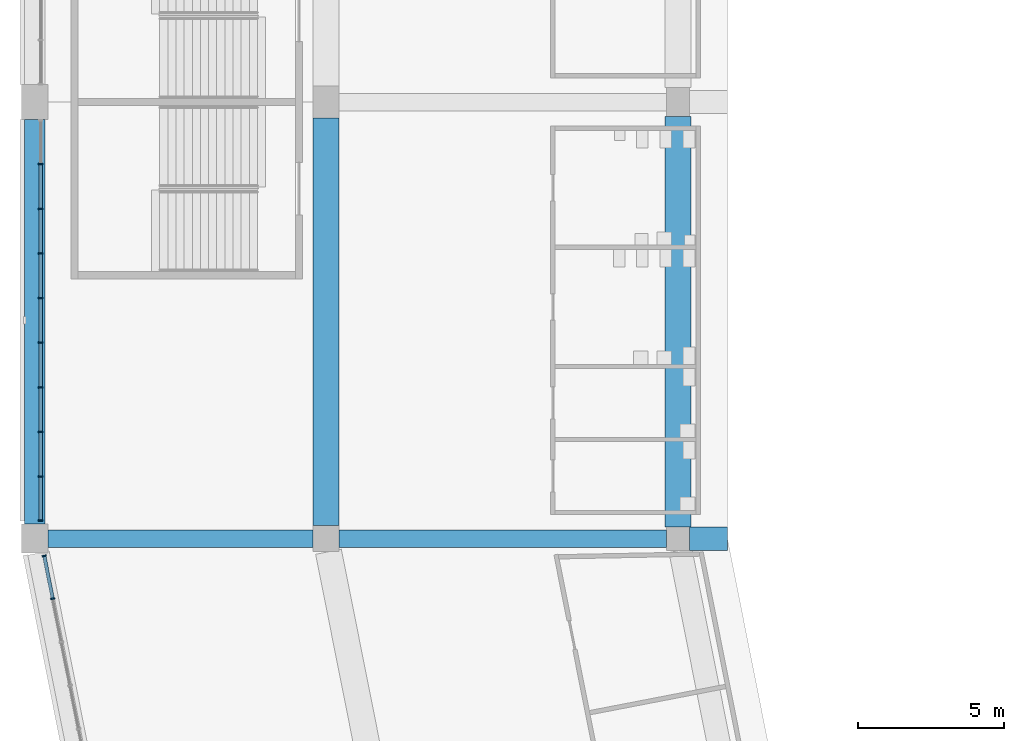
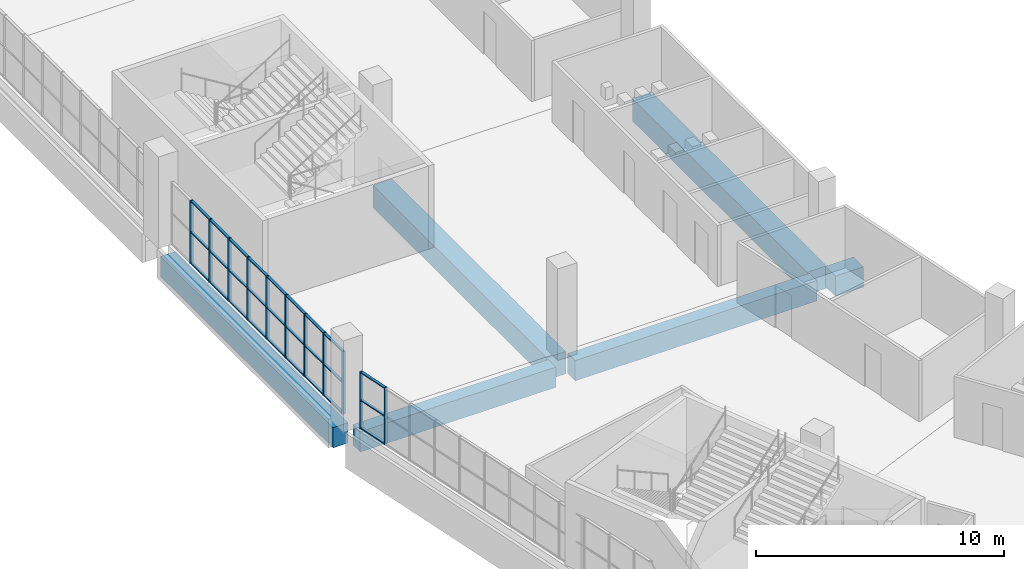
# One storey, part 10 of 199: 38 members, 6 beams, 2 elements without a shape of their own.
"""IFC4 building model written with IfcOpenShell, lengths in metres."""

import ifcopenshell
import ifcopenshell.guid

model = None  # the IFC model being written
_history = None  # IfcOwnerHistory: only IFC2X3 demands one
_inside = {}  # id of a spatial element -> (the spatial element, [elements in it])
_under = {}  # id of a project, library or spatial element -> (it, [spatial elements below it])
_declared = {}  # id of a project -> (the project, [libraries it declares])
_typed = {}  # id of a type object -> (the type object, [elements of that type])
_made_of = {}  # id of a material, layer set ... -> (it, [elements and type objects made of it])


def new_model(schema):
    """Start an empty IFC model of exactly this schema.

    Asked for "IFC4X3", IfcOpenShell would pick the latest addendum, in which some entities
    have other attributes; the version numbers below select the first issue.
    IFC2X3 requires an IfcOwnerHistory on every rooted entity: one is made here for all.
    """
    global model, _history
    if schema == "IFC4X3":
        model = ifcopenshell.file(schema_version=(4, 3, 0, 0))
    else:
        model = ifcopenshell.file(schema=schema)
    _inside.clear()
    _under.clear()
    _declared.clear()
    _typed.clear()
    _made_of.clear()
    _history = None
    if model.schema == "IFC2X3":
        org = make("IfcOrganization", Name="unknown")
        user = make(
            "IfcPersonAndOrganization",
            ThePerson=make("IfcPerson", FamilyName="unknown"),
            TheOrganization=org,
        )
        app = make(
            "IfcApplication",
            ApplicationDeveloper=org,
            Version="unknown",
            ApplicationFullName="unknown",
            ApplicationIdentifier="unknown",
        )
        _history = make(
            "IfcOwnerHistory",
            OwningUser=user,
            OwningApplication=app,
            ChangeAction="ADDED",
            CreationDate=0,
        )
    return model


def make(cls, **values):
    """One entity of the class cls with the attributes given. An attribute that is None is left unset."""
    return model.create_entity(
        cls, **{name: value for name, value in values.items() if value is not None}
    )


def rooted(cls, **values):
    """An entity with a GlobalId (a new one), such as an element, a storey or a relation."""
    return make(cls, GlobalId=ifcopenshell.guid.new(), OwnerHistory=_history, **values)


def si_unit(unit_type, name, prefix=None):
    """IfcSIUnit, for example si_unit("LENGTHUNIT", "METRE", prefix="MILLI")."""
    return make("IfcSIUnit", UnitType=unit_type, Prefix=prefix, Name=name)


def assignment(units):
    """IfcUnitAssignment: the units of a project."""
    return None if units is None else make("IfcUnitAssignment", Units=units)


def point(xyz):
    """IfcCartesianPoint."""
    return None if xyz is None else make("IfcCartesianPoint", Coordinates=xyz)


def direction(xyz):
    """IfcDirection."""
    return None if xyz is None else make("IfcDirection", DirectionRatios=xyz)


def frame(location, z_axis=None, x_axis=None):
    """IfcAxis2Placement3D, a coordinate frame: its origin and axes. An axis left out is left unset."""
    return make(
        "IfcAxis2Placement3D",
        Location=point(location),
        Axis=direction(z_axis),
        RefDirection=direction(x_axis),
    )


def frame_2d(location, x_axis=None):
    """IfcAxis2Placement2D, a coordinate frame in the plane: its origin and x axis."""
    return make(
        "IfcAxis2Placement2D", Location=point(location), RefDirection=direction(x_axis)
    )


def origin():
    """The frame at (0, 0, 0) with its axes left unset."""
    return frame((0.0, 0.0, 0.0))


def origin_2d():
    """The frame at (0, 0) in the plane with its x axis left unset."""
    return frame_2d((0.0, 0.0))


def place(relative_to, where):
    """IfcLocalPlacement: puts the frame where relative to a parent placement (None: the world)."""
    return make(
        "IfcLocalPlacement", PlacementRelTo=relative_to, RelativePlacement=where
    )


def context(
    kind, dimensions, precision=None, world=None, true_north=None, identifier=None
):
    """IfcGeometricRepresentationContext, for example the 3D "Model" context."""
    return make(
        "IfcGeometricRepresentationContext",
        ContextIdentifier=identifier,
        ContextType=kind,
        CoordinateSpaceDimension=dimensions,
        Precision=precision,
        WorldCoordinateSystem=world,
        TrueNorth=true_north,
    )


def subcontext(parent, identifier, kind, view, scale=None):
    """IfcGeometricRepresentationSubContext, for example "Body" below "Model"."""
    return make(
        "IfcGeometricRepresentationSubContext",
        ContextIdentifier=identifier,
        ContextType=kind,
        ParentContext=parent,
        TargetScale=scale,
        TargetView=view,
    )


def project(units=None, contexts=None):
    """IfcProject with its units and contexts."""
    return rooted(
        "IfcProject",
        Name="project",
        RepresentationContexts=contexts,
        UnitsInContext=assignment(units),
    )


def spatial(cls, under=None, at=None, **own):
    """A site, building, storey or space (cls), placed at a placement, below another one or the project."""
    s = rooted(cls, ObjectPlacement=at, **own)
    if under is not None:
        _under.setdefault(under.id(), (under, []))[1].append(s)
    return s


def profile(cls, at=None, kind="AREA", **sizes):
    """A parametric profile (cls). Its sizes go by their IFC names, for example OverallWidth=200.0."""
    return make(cls, ProfileType=kind, Position=at, **sizes)


def rectangle(**sizes):
    """IfcRectangleProfileDef."""
    return profile("IfcRectangleProfileDef", **sizes)


def extrude(swept, where, along, depth):
    """IfcExtrudedAreaSolid: the profile swept, set in the frame where, extruded along a direction by depth."""
    return make(
        "IfcExtrudedAreaSolid",
        SweptArea=swept,
        Position=where,
        ExtrudedDirection=direction(along),
        Depth=depth,
    )


def shape(context_of_items, identifier, shape_type, items):
    """IfcShapeRepresentation: the items that make up one representation, for example the "Body"."""
    return make(
        "IfcShapeRepresentation",
        ContextOfItems=context_of_items,
        RepresentationIdentifier=identifier,
        RepresentationType=shape_type,
        Items=items,
    )


def material(Name=None, Category=None):
    """IfcMaterial."""
    return make("IfcMaterial", Name=Name, Category=Category)


def material_profile(
    of_material, cross_section, Name=None, Category=None, Priority=None
):
    """IfcMaterialProfile: a cross section and its material."""
    return make(
        "IfcMaterialProfile",
        Name=Name,
        Material=of_material,
        Profile=cross_section,
        Priority=Priority,
        Category=Category,
    )


def profile_set(profiles, Name=None, composite=None):
    """IfcMaterialProfileSet."""
    return make(
        "IfcMaterialProfileSet",
        Name=Name,
        MaterialProfiles=profiles,
        CompositeProfile=composite,
    )


def made_of(thing, what):
    """Note that an element or type object is made of a material, layer set ...; save() writes the relation."""
    if what is not None:
        _made_of.setdefault(what.id(), (what, []))[1].append(thing)
    return thing


def type_object(cls, material=None, **own):
    """A type object (cls), such as IfcWallType, which elements share."""
    return made_of(rooted(cls, **own), material)


def element(
    cls,
    number,
    at=None,
    inside=None,
    cuts=None,
    type_object=None,
    material=None,
    context=None,
    identifier="Body",
    shape_type=None,
    held_by="IfcProductDefinitionShape",
    body=None,
    shapes=None,
    **own,
):
    """One element of the class cls, such as IfcWall. Its Tag is "e" and its number.

    at: its placement. inside: the storey or other place that contains it. cuts: it is an
    opening in that element (IfcRelVoidsElement). A single representation is given by context,
    identifier, shape_type and body (its items); several are given by shapes. held_by: the class
    of the entity that holds the representations. save() writes the other relations.
    """
    e = rooted(cls, Tag="e%d" % number, ObjectPlacement=at, **own)
    if body is not None:
        shapes = [shape(context, identifier, shape_type, body)]
    if shapes is not None:
        e.Representation = make(held_by, Representations=shapes)
    if inside is not None:
        _inside.setdefault(inside.id(), (inside, []))[1].append(e)
    if cuts is not None:
        rooted(
            "IfcRelVoidsElement", RelatingBuildingElement=cuts, RelatedOpeningElement=e
        )
    if type_object is not None:
        _typed.setdefault(type_object.id(), (type_object, []))[1].append(e)
    return made_of(e, material)


def aggregate(whole, parts):
    """IfcRelAggregates: a whole, such as a stair, and the parts it consists of."""
    return rooted("IfcRelAggregates", RelatingObject=whole, RelatedObjects=parts)


def save(model, path):
    """Write the relations noted so far, then the file.

    IfcRelAggregates (storeys below a building ...), IfcRelContainedInSpatialStructure (elements
    in a storey), IfcRelDefinesByType, IfcRelAssociatesMaterial and IfcRelDeclares: one each for
    every whole, place, type object, material and project.
    """
    for whole, parts in _under.values():
        aggregate(whole, parts)
    for where, things in _inside.values():
        rooted(
            "IfcRelContainedInSpatialStructure",
            RelatedElements=things,
            RelatingStructure=where,
        )
    for kind, things in _typed.values():
        rooted("IfcRelDefinesByType", RelatedObjects=things, RelatingType=kind)
    for what, things in _made_of.values():
        rooted("IfcRelAssociatesMaterial", RelatedObjects=things, RelatingMaterial=what)
    for by, libraries in _declared.values():
        rooted("IfcRelDeclares", RelatingContext=by, RelatedDefinitions=libraries)
    model.write(path)


model = new_model("IFC4")

# Units and contexts
model_context = context("Model", 3, precision=1e-05, world=origin(), true_north=direction((0.0, 1.0)))
body_context = subcontext(model_context, "Body", "Model", "MODEL_VIEW")
ifc_project = project(units=[si_unit("LENGTHUNIT", "METRE"), si_unit("AREAUNIT", "SQUARE_METRE"), si_unit("VOLUMEUNIT", "CUBIC_METRE"), si_unit("PLANEANGLEUNIT", "RADIAN"), si_unit("MASSUNIT", "GRAM", prefix="KILO")], contexts=[model_context])

# Site, building, storey
site_placement = place(None, origin())
site = spatial("IfcSite", under=ifc_project, at=site_placement, CompositionType="ELEMENT")
building_placement = place(site_placement, origin())
building = spatial("IfcBuilding", under=site, at=building_placement, Name="Ogive Plaza Stadium", CompositionType="ELEMENT")
storey_placement = place(building_placement, frame((0.0, 0.0, 4.5)))
storey = spatial("IfcBuildingStorey", under=building, at=storey_placement, Name="L01", CompositionType="ELEMENT", Elevation=4.5)

# Curtain wall, members
ifc_material_1 = material(Name="Bronze-anodised aluminium with laminated glass", Category="aluminium")
curtain_wall_type = type_object("IfcCurtainWallType", Name="Lancet curtain wall", PredefinedType="NOTDEFINED", material=ifc_material_1)
curtain_wall_1_placement = place(storey_placement, origin())
curtain_wall_1 = element("IfcCurtainWall", 1, at=curtain_wall_1_placement, inside=storey, type_object=curtain_wall_type, Name="CURTAIN WALL B20 L01", PredefinedType="NOTDEFINED")
ifc_material_2 = material(Name="Bronze-anodised aluminium", Category="aluminium")
ifc_material_profile_1 = material_profile(ifc_material_2, rectangle(XDim=0.14990234375, YDim=0.050048828125, at=origin_2d()), Name="AL 150x50")
ifc_profile_set_1 = profile_set([ifc_material_profile_1], Name="Bronze-anodised aluminium")
member_type_1 = type_object("IfcMemberType", Name="Curtain wall mullion 50x150", PredefinedType="MULLION", material=ifc_profile_set_1)
member_1_placement = place(storey_placement, frame((-83.3857421875, -54.5625, 0.0), z_axis=(0.0, 0.0, 1.0), x_axis=(-0.9807852804, -0.195090322033, 0.0)))
member_1 = element("IfcMember", 2, at=member_1_placement, type_object=member_type_1, Name="CW-B20-L01 mullion 12", PredefinedType="MULLION", context=body_context, shape_type="SweptSolid", body=[
    extrude(rectangle(XDim=0.14990234375, YDim=0.050048828125, at=origin_2d()), origin(), (0.0, 0.0, 1.0), 2.7900390625),
])
member_2_placement = place(storey_placement, frame((-83.677978515625, -53.093994140625, 0.0), z_axis=(0.0, 0.0, 1.0), x_axis=(-0.9807852804, -0.195090322033, 0.0)))
member_2 = element("IfcMember", 3, at=member_2_placement, type_object=member_type_1, Name="CW-B20-L01 mullion 13", PredefinedType="MULLION", context=body_context, shape_type="SweptSolid", body=[
    extrude(rectangle(XDim=0.14990234375, YDim=0.050048828125, at=origin_2d()), origin(), (0.0, 0.0, 1.0), 2.7900390625),
])

curtain_wall_2_placement = place(storey_placement, origin())
curtain_wall_2 = element("IfcCurtainWall", 4, at=curtain_wall_2_placement, inside=storey, type_object=curtain_wall_type, Name="CURTAIN WALL B21 L01", PredefinedType="NOTDEFINED")
member_3_placement = place(storey_placement, frame((-83.800048828125, -51.875, 0.0), z_axis=(0.0, 0.0, 1.0), x_axis=(-1.0, 0.0, 0.0)))
member_3 = element("IfcMember", 5, at=member_3_placement, type_object=member_type_1, Name="CW-B21-L01 mullion 1", PredefinedType="MULLION", context=body_context, shape_type="SweptSolid", body=[
    extrude(rectangle(XDim=0.14990234375, YDim=0.050048828125, at=origin_2d()), origin(), (0.0, 0.0, 1.0), 3.090087890625),
])
member_4_placement = place(storey_placement, frame((-83.800048828125, -50.36669921875, 0.0), z_axis=(0.0, 0.0, 1.0), x_axis=(-1.0, 0.0, 0.0)))
member_4 = element("IfcMember", 6, at=member_4_placement, type_object=member_type_1, Name="CW-B21-L01 mullion 2", PredefinedType="MULLION", context=body_context, shape_type="SweptSolid", body=[
    extrude(rectangle(XDim=0.14990234375, YDim=0.050048828125, at=origin_2d()), origin(), (0.0, 0.0, 1.0), 3.090087890625),
])
member_5_placement = place(storey_placement, frame((-83.800048828125, -48.833251953125, 0.0), z_axis=(0.0, 0.0, 1.0), x_axis=(-1.0, 0.0, 0.0)))
member_5 = element("IfcMember", 7, at=member_5_placement, type_object=member_type_1, Name="CW-B21-L01 mullion 3", PredefinedType="MULLION", context=body_context, shape_type="SweptSolid", body=[
    extrude(rectangle(XDim=0.14990234375, YDim=0.050048828125, at=origin_2d()), origin(), (0.0, 0.0, 1.0), 3.090087890625),
])
member_6_placement = place(storey_placement, frame((-83.800048828125, -47.300048828125, 0.0), z_axis=(0.0, 0.0, 1.0), x_axis=(-1.0, 0.0, 0.0)))
member_6 = element("IfcMember", 8, at=member_6_placement, type_object=member_type_1, Name="CW-B21-L01 mullion 4", PredefinedType="MULLION", context=body_context, shape_type="SweptSolid", body=[
    extrude(rectangle(XDim=0.14990234375, YDim=0.050048828125, at=origin_2d()), origin(), (0.0, 0.0, 1.0), 3.090087890625),
])
member_7_placement = place(storey_placement, frame((-83.800048828125, -45.7666015625, 0.0), z_axis=(0.0, 0.0, 1.0), x_axis=(-1.0, 0.0, 0.0)))
member_7 = element("IfcMember", 9, at=member_7_placement, type_object=member_type_1, Name="CW-B21-L01 mullion 5", PredefinedType="MULLION", context=body_context, shape_type="SweptSolid", body=[
    extrude(rectangle(XDim=0.14990234375, YDim=0.050048828125, at=origin_2d()), origin(), (0.0, 0.0, 1.0), 3.090087890625),
])
member_8_placement = place(storey_placement, frame((-83.800048828125, -44.2333984375, 0.0), z_axis=(0.0, 0.0, 1.0), x_axis=(-1.0, 0.0, 0.0)))
member_8 = element("IfcMember", 10, at=member_8_placement, type_object=member_type_1, Name="CW-B21-L01 mullion 6", PredefinedType="MULLION", context=body_context, shape_type="SweptSolid", body=[
    extrude(rectangle(XDim=0.14990234375, YDim=0.050048828125, at=origin_2d()), origin(), (0.0, 0.0, 1.0), 3.090087890625),
])
member_9_placement = place(storey_placement, frame((-83.800048828125, -42.699951171875, 0.0), z_axis=(0.0, 0.0, 1.0), x_axis=(-1.0, 0.0, 0.0)))
member_9 = element("IfcMember", 11, at=member_9_placement, type_object=member_type_1, Name="CW-B21-L01 mullion 7", PredefinedType="MULLION", context=body_context, shape_type="SweptSolid", body=[
    extrude(rectangle(XDim=0.14990234375, YDim=0.050048828125, at=origin_2d()), origin(), (0.0, 0.0, 1.0), 3.090087890625),
])
member_10_placement = place(storey_placement, frame((-83.800048828125, -41.166748046875, 0.0), z_axis=(0.0, 0.0, 1.0), x_axis=(-1.0, 0.0, 0.0)))
member_10 = element("IfcMember", 12, at=member_10_placement, type_object=member_type_1, Name="CW-B21-L01 mullion 8", PredefinedType="MULLION", context=body_context, shape_type="SweptSolid", body=[
    extrude(rectangle(XDim=0.14990234375, YDim=0.050048828125, at=origin_2d()), origin(), (0.0, 0.0, 1.0), 3.090087890625),
])
member_11_placement = place(storey_placement, frame((-83.800048828125, -39.63330078125, 0.0), z_axis=(0.0, 0.0, 1.0), x_axis=(-1.0, 0.0, 0.0)))
member_11 = element("IfcMember", 13, at=member_11_placement, type_object=member_type_1, Name="CW-B21-L01 mullion 9", PredefinedType="MULLION", context=body_context, shape_type="SweptSolid", body=[
    extrude(rectangle(XDim=0.14990234375, YDim=0.050048828125, at=origin_2d()), origin(), (0.0, 0.0, 1.0), 3.090087890625),
])

# Member
ifc_material_3 = material(Name="Bronze-anodised aluminium", Category="aluminium")
ifc_material_profile_2 = material_profile(ifc_material_3, rectangle(XDim=0.1201171875, YDim=0.050048828125, at=origin_2d()), Name="AL 120x50")
ifc_profile_set_2 = profile_set([ifc_material_profile_2], Name="Bronze-anodised aluminium")
member_type_2 = type_object("IfcMemberType", Name="Curtain wall transom 50x120", PredefinedType="USERDEFINED", material=ifc_profile_set_2)
member_12_placement = place(storey_placement, frame((-83.390625, -54.5380859375, 0.02490234375), z_axis=(-0.195175269199, 0.980768379534, 0.0), x_axis=(-0.980768379534, -0.195175269199, 0.0)))
member_12 = element("IfcMember", 14, at=member_12_placement, type_object=member_type_2, Name="CW-B20-L01 transom 12.1", ObjectType="TRANSOM", PredefinedType="USERDEFINED", context=body_context, shape_type="SweptSolid", body=[
    extrude(rectangle(XDim=0.1201171875, YDim=0.050048828125, at=origin_2d()), origin(), (0.0, 0.0, 1.0), 1.447265625),
])

member_13_placement = place(storey_placement, frame((-83.390625, -54.5380859375, 1.39501953125), z_axis=(-0.195175269199, 0.980768379534, 0.0), x_axis=(-0.980768379534, -0.195175269199, 0.0)))
member_13 = element("IfcMember", 15, at=member_13_placement, type_object=member_type_2, Name="CW-B20-L01 transom 12.2", ObjectType="TRANSOM", PredefinedType="USERDEFINED", context=body_context, shape_type="SweptSolid", body=[
    extrude(rectangle(XDim=0.1201171875, YDim=0.050048828125, at=origin_2d()), origin(), (0.0, 0.0, 1.0), 1.447265625),
])

member_14_placement = place(storey_placement, frame((-83.390625, -54.5380859375, 2.764892578125), z_axis=(-0.195175269199, 0.980768379534, 0.0), x_axis=(-0.980768379534, -0.195175269199, 0.0)))
member_14 = element("IfcMember", 16, at=member_14_placement, type_object=member_type_2, Name="CW-B20-L01 transom 12.3", ObjectType="TRANSOM", PredefinedType="USERDEFINED", context=body_context, shape_type="SweptSolid", body=[
    extrude(rectangle(XDim=0.1201171875, YDim=0.050048828125, at=origin_2d()), origin(), (0.0, 0.0, 1.0), 1.447265625),
])

aggregate(curtain_wall_1, [member_1, member_2, member_12, member_13, member_14])

member_15_placement = place(storey_placement, frame((-83.800048828125, -51.85009765625, 0.02490234375), z_axis=(0.0, 1.0, 0.0), x_axis=(-1.0, 0.0, 0.0)))
member_15 = element("IfcMember", 17, at=member_15_placement, type_object=member_type_2, Name="CW-B21-L01 transom 1.1", ObjectType="TRANSOM", PredefinedType="USERDEFINED", context=body_context, shape_type="SweptSolid", body=[
    extrude(rectangle(XDim=0.1201171875, YDim=0.050048828125, at=origin_2d()), origin(), (0.0, 0.0, 1.0), 1.45849609375),
])

member_16_placement = place(storey_placement, frame((-83.800048828125, -51.85009765625, 1.544921875), z_axis=(0.0, 1.0, 0.0), x_axis=(-1.0, 0.0, 0.0)))
member_16 = element("IfcMember", 18, at=member_16_placement, type_object=member_type_2, Name="CW-B21-L01 transom 1.2", ObjectType="TRANSOM", PredefinedType="USERDEFINED", context=body_context, shape_type="SweptSolid", body=[
    extrude(rectangle(XDim=0.1201171875, YDim=0.050048828125, at=origin_2d()), origin(), (0.0, 0.0, 1.0), 1.45849609375),
])

member_17_placement = place(storey_placement, frame((-83.800048828125, -51.85009765625, 3.06494140625), z_axis=(0.0, 1.0, 0.0), x_axis=(-1.0, 0.0, 0.0)))
member_17 = element("IfcMember", 19, at=member_17_placement, type_object=member_type_2, Name="CW-B21-L01 transom 1.3", ObjectType="TRANSOM", PredefinedType="USERDEFINED", context=body_context, shape_type="SweptSolid", body=[
    extrude(rectangle(XDim=0.1201171875, YDim=0.050048828125, at=origin_2d()), origin(), (0.0, 0.0, 1.0), 1.45849609375),
])

member_18_placement = place(storey_placement, frame((-83.800048828125, -50.341552734375, 0.02490234375), z_axis=(0.0, 1.0, 0.0), x_axis=(-1.0, 0.0, 0.0)))
member_18 = element("IfcMember", 20, at=member_18_placement, type_object=member_type_2, Name="CW-B21-L01 transom 2.1", ObjectType="TRANSOM", PredefinedType="USERDEFINED", context=body_context, shape_type="SweptSolid", body=[
    extrude(rectangle(XDim=0.1201171875, YDim=0.050048828125, at=origin_2d()), origin(), (0.0, 0.0, 1.0), 1.483154296875),
])

member_19_placement = place(storey_placement, frame((-83.800048828125, -50.341552734375, 1.544921875), z_axis=(0.0, 1.0, 0.0), x_axis=(-1.0, 0.0, 0.0)))
member_19 = element("IfcMember", 21, at=member_19_placement, type_object=member_type_2, Name="CW-B21-L01 transom 2.2", ObjectType="TRANSOM", PredefinedType="USERDEFINED", context=body_context, shape_type="SweptSolid", body=[
    extrude(rectangle(XDim=0.1201171875, YDim=0.050048828125, at=origin_2d()), origin(), (0.0, 0.0, 1.0), 1.483154296875),
])

member_20_placement = place(storey_placement, frame((-83.800048828125, -50.341552734375, 3.06494140625), z_axis=(0.0, 1.0, 0.0), x_axis=(-1.0, 0.0, 0.0)))
member_20 = element("IfcMember", 22, at=member_20_placement, type_object=member_type_2, Name="CW-B21-L01 transom 2.3", ObjectType="TRANSOM", PredefinedType="USERDEFINED", context=body_context, shape_type="SweptSolid", body=[
    extrude(rectangle(XDim=0.1201171875, YDim=0.050048828125, at=origin_2d()), origin(), (0.0, 0.0, 1.0), 1.483154296875),
])

member_21_placement = place(storey_placement, frame((-83.800048828125, -48.808349609375, 0.02490234375), z_axis=(0.0, 1.0, 0.0), x_axis=(-1.0, 0.0, 0.0)))
member_21 = element("IfcMember", 23, at=member_21_placement, type_object=member_type_2, Name="CW-B21-L01 transom 3.1", ObjectType="TRANSOM", PredefinedType="USERDEFINED", context=body_context, shape_type="SweptSolid", body=[
    extrude(rectangle(XDim=0.1201171875, YDim=0.050048828125, at=origin_2d()), origin(), (0.0, 0.0, 1.0), 1.4833984375),
])

member_22_placement = place(storey_placement, frame((-83.800048828125, -48.808349609375, 1.544921875), z_axis=(0.0, 1.0, 0.0), x_axis=(-1.0, 0.0, 0.0)))
member_22 = element("IfcMember", 24, at=member_22_placement, type_object=member_type_2, Name="CW-B21-L01 transom 3.2", ObjectType="TRANSOM", PredefinedType="USERDEFINED", context=body_context, shape_type="SweptSolid", body=[
    extrude(rectangle(XDim=0.1201171875, YDim=0.050048828125, at=origin_2d()), origin(), (0.0, 0.0, 1.0), 1.4833984375),
])

member_23_placement = place(storey_placement, frame((-83.800048828125, -48.808349609375, 3.06494140625), z_axis=(0.0, 1.0, 0.0), x_axis=(-1.0, 0.0, 0.0)))
member_23 = element("IfcMember", 25, at=member_23_placement, type_object=member_type_2, Name="CW-B21-L01 transom 3.3", ObjectType="TRANSOM", PredefinedType="USERDEFINED", context=body_context, shape_type="SweptSolid", body=[
    extrude(rectangle(XDim=0.1201171875, YDim=0.050048828125, at=origin_2d()), origin(), (0.0, 0.0, 1.0), 1.4833984375),
])

member_24_placement = place(storey_placement, frame((-83.800048828125, -47.27490234375, 0.02490234375), z_axis=(0.0, 1.0, 0.0), x_axis=(-1.0, 0.0, 0.0)))
member_24 = element("IfcMember", 26, at=member_24_placement, type_object=member_type_2, Name="CW-B21-L01 transom 4.1", ObjectType="TRANSOM", PredefinedType="USERDEFINED", context=body_context, shape_type="SweptSolid", body=[
    extrude(rectangle(XDim=0.1201171875, YDim=0.050048828125, at=origin_2d()), origin(), (0.0, 0.0, 1.0), 1.483154296875),
])

member_25_placement = place(storey_placement, frame((-83.800048828125, -47.27490234375, 1.544921875), z_axis=(0.0, 1.0, 0.0), x_axis=(-1.0, 0.0, 0.0)))
member_25 = element("IfcMember", 27, at=member_25_placement, type_object=member_type_2, Name="CW-B21-L01 transom 4.2", ObjectType="TRANSOM", PredefinedType="USERDEFINED", context=body_context, shape_type="SweptSolid", body=[
    extrude(rectangle(XDim=0.1201171875, YDim=0.050048828125, at=origin_2d()), origin(), (0.0, 0.0, 1.0), 1.483154296875),
])

member_26_placement = place(storey_placement, frame((-83.800048828125, -47.27490234375, 3.06494140625), z_axis=(0.0, 1.0, 0.0), x_axis=(-1.0, 0.0, 0.0)))
member_26 = element("IfcMember", 28, at=member_26_placement, type_object=member_type_2, Name="CW-B21-L01 transom 4.3", ObjectType="TRANSOM", PredefinedType="USERDEFINED", context=body_context, shape_type="SweptSolid", body=[
    extrude(rectangle(XDim=0.1201171875, YDim=0.050048828125, at=origin_2d()), origin(), (0.0, 0.0, 1.0), 1.483154296875),
])

member_27_placement = place(storey_placement, frame((-83.800048828125, -45.74169921875, 0.02490234375), z_axis=(0.0, 1.0, 0.0), x_axis=(-1.0, 0.0, 0.0)))
member_27 = element("IfcMember", 29, at=member_27_placement, type_object=member_type_2, Name="CW-B21-L01 transom 5.1", ObjectType="TRANSOM", PredefinedType="USERDEFINED", context=body_context, shape_type="SweptSolid", body=[
    extrude(rectangle(XDim=0.1201171875, YDim=0.050048828125, at=origin_2d()), origin(), (0.0, 0.0, 1.0), 1.4833984375),
])

member_28_placement = place(storey_placement, frame((-83.800048828125, -45.74169921875, 1.544921875), z_axis=(0.0, 1.0, 0.0), x_axis=(-1.0, 0.0, 0.0)))
member_28 = element("IfcMember", 30, at=member_28_placement, type_object=member_type_2, Name="CW-B21-L01 transom 5.2", ObjectType="TRANSOM", PredefinedType="USERDEFINED", context=body_context, shape_type="SweptSolid", body=[
    extrude(rectangle(XDim=0.1201171875, YDim=0.050048828125, at=origin_2d()), origin(), (0.0, 0.0, 1.0), 1.4833984375),
])

member_29_placement = place(storey_placement, frame((-83.800048828125, -45.74169921875, 3.06494140625), z_axis=(0.0, 1.0, 0.0), x_axis=(-1.0, 0.0, 0.0)))
member_29 = element("IfcMember", 31, at=member_29_placement, type_object=member_type_2, Name="CW-B21-L01 transom 5.3", ObjectType="TRANSOM", PredefinedType="USERDEFINED", context=body_context, shape_type="SweptSolid", body=[
    extrude(rectangle(XDim=0.1201171875, YDim=0.050048828125, at=origin_2d()), origin(), (0.0, 0.0, 1.0), 1.4833984375),
])

member_30_placement = place(storey_placement, frame((-83.800048828125, -44.208251953125, 0.02490234375), z_axis=(0.0, 1.0, 0.0), x_axis=(-1.0, 0.0, 0.0)))
member_30 = element("IfcMember", 32, at=member_30_placement, type_object=member_type_2, Name="CW-B21-L01 transom 6.1", ObjectType="TRANSOM", PredefinedType="USERDEFINED", context=body_context, shape_type="SweptSolid", body=[
    extrude(rectangle(XDim=0.1201171875, YDim=0.050048828125, at=origin_2d()), origin(), (0.0, 0.0, 1.0), 1.483154296875),
])

member_31_placement = place(storey_placement, frame((-83.800048828125, -44.208251953125, 1.544921875), z_axis=(0.0, 1.0, 0.0), x_axis=(-1.0, 0.0, 0.0)))
member_31 = element("IfcMember", 33, at=member_31_placement, type_object=member_type_2, Name="CW-B21-L01 transom 6.2", ObjectType="TRANSOM", PredefinedType="USERDEFINED", context=body_context, shape_type="SweptSolid", body=[
    extrude(rectangle(XDim=0.1201171875, YDim=0.050048828125, at=origin_2d()), origin(), (0.0, 0.0, 1.0), 1.483154296875),
])

member_32_placement = place(storey_placement, frame((-83.800048828125, -44.208251953125, 3.06494140625), z_axis=(0.0, 1.0, 0.0), x_axis=(-1.0, 0.0, 0.0)))
member_32 = element("IfcMember", 34, at=member_32_placement, type_object=member_type_2, Name="CW-B21-L01 transom 6.3", ObjectType="TRANSOM", PredefinedType="USERDEFINED", context=body_context, shape_type="SweptSolid", body=[
    extrude(rectangle(XDim=0.1201171875, YDim=0.050048828125, at=origin_2d()), origin(), (0.0, 0.0, 1.0), 1.483154296875),
])

member_33_placement = place(storey_placement, frame((-83.800048828125, -42.675048828125, 0.02490234375), z_axis=(0.0, 1.0, 0.0), x_axis=(-1.0, 0.0, 0.0)))
member_33 = element("IfcMember", 35, at=member_33_placement, type_object=member_type_2, Name="CW-B21-L01 transom 7.1", ObjectType="TRANSOM", PredefinedType="USERDEFINED", context=body_context, shape_type="SweptSolid", body=[
    extrude(rectangle(XDim=0.1201171875, YDim=0.050048828125, at=origin_2d()), origin(), (0.0, 0.0, 1.0), 1.4833984375),
])

member_34_placement = place(storey_placement, frame((-83.800048828125, -42.675048828125, 1.544921875), z_axis=(0.0, 1.0, 0.0), x_axis=(-1.0, 0.0, 0.0)))
member_34 = element("IfcMember", 36, at=member_34_placement, type_object=member_type_2, Name="CW-B21-L01 transom 7.2", ObjectType="TRANSOM", PredefinedType="USERDEFINED", context=body_context, shape_type="SweptSolid", body=[
    extrude(rectangle(XDim=0.1201171875, YDim=0.050048828125, at=origin_2d()), origin(), (0.0, 0.0, 1.0), 1.4833984375),
])

member_35_placement = place(storey_placement, frame((-83.800048828125, -42.675048828125, 3.06494140625), z_axis=(0.0, 1.0, 0.0), x_axis=(-1.0, 0.0, 0.0)))
member_35 = element("IfcMember", 37, at=member_35_placement, type_object=member_type_2, Name="CW-B21-L01 transom 7.3", ObjectType="TRANSOM", PredefinedType="USERDEFINED", context=body_context, shape_type="SweptSolid", body=[
    extrude(rectangle(XDim=0.1201171875, YDim=0.050048828125, at=origin_2d()), origin(), (0.0, 0.0, 1.0), 1.4833984375),
])

member_36_placement = place(storey_placement, frame((-83.800048828125, -41.1416015625, 0.02490234375), z_axis=(0.0, 1.0, 0.0), x_axis=(-1.0, 0.0, 0.0)))
member_36 = element("IfcMember", 38, at=member_36_placement, type_object=member_type_2, Name="CW-B21-L01 transom 8.1", ObjectType="TRANSOM", PredefinedType="USERDEFINED", context=body_context, shape_type="SweptSolid", body=[
    extrude(rectangle(XDim=0.1201171875, YDim=0.050048828125, at=origin_2d()), origin(), (0.0, 0.0, 1.0), 1.483154296875),
])

member_37_placement = place(storey_placement, frame((-83.800048828125, -41.1416015625, 1.544921875), z_axis=(0.0, 1.0, 0.0), x_axis=(-1.0, 0.0, 0.0)))
member_37 = element("IfcMember", 39, at=member_37_placement, type_object=member_type_2, Name="CW-B21-L01 transom 8.2", ObjectType="TRANSOM", PredefinedType="USERDEFINED", context=body_context, shape_type="SweptSolid", body=[
    extrude(rectangle(XDim=0.1201171875, YDim=0.050048828125, at=origin_2d()), origin(), (0.0, 0.0, 1.0), 1.483154296875),
])

member_38_placement = place(storey_placement, frame((-83.800048828125, -41.1416015625, 3.06494140625), z_axis=(0.0, 1.0, 0.0), x_axis=(-1.0, 0.0, 0.0)))
member_38 = element("IfcMember", 40, at=member_38_placement, type_object=member_type_2, Name="CW-B21-L01 transom 8.3", ObjectType="TRANSOM", PredefinedType="USERDEFINED", context=body_context, shape_type="SweptSolid", body=[
    extrude(rectangle(XDim=0.1201171875, YDim=0.050048828125, at=origin_2d()), origin(), (0.0, 0.0, 1.0), 1.483154296875),
])

aggregate(curtain_wall_2, [member_3, member_4, member_5, member_6, member_7, member_8, member_9, member_10, member_11, member_15, member_16, member_17, member_18, member_19, member_20, member_21, member_22, member_23, member_24, member_25, member_26, member_27, member_28, member_29, member_30, member_31, member_32, member_33, member_34, member_35, member_36, member_37, member_38])

# Beams
ifc_material_4 = material(Name="Concrete C40/50", Category="concrete")
ifc_material_profile_3 = material_profile(ifc_material_4, rectangle(XDim=0.60009765625, YDim=1.0, at=origin_2d()), Name="RC 600x1000")
ifc_profile_set_3 = profile_set([ifc_material_profile_3], Name="Concrete C40/50")
beam_type_1 = type_object("IfcBeamType", Name="RC radial beam 600x1000", PredefinedType="BEAM", material=ifc_profile_set_3)
beam_1_placement = place(storey_placement, frame((-62.300048828125, -52.5, -0.909912109375), z_axis=(-1.0, 0.0, 0.0), x_axis=(0.0, -1.0, 0.0)))
element("IfcBeam", 41, at=beam_1_placement, inside=storey, type_object=beam_type_1, Name="Radial beam L01 R21 F3F4", PredefinedType="BEAM", context=body_context, shape_type="SweptSolid", body=[
    extrude(rectangle(XDim=0.60009765625, YDim=1.0, at=origin_2d()), origin(), (0.0, 0.0, 1.0), 11.25),
])
beam_2_placement = place(storey_placement, frame((-74.449951171875, -52.5, -0.909912109375), z_axis=(-1.0, 0.0, 0.0), x_axis=(0.0, -1.0, 0.0)))
element("IfcBeam", 42, at=beam_2_placement, inside=storey, type_object=beam_type_1, Name="Radial beam L01 R21 F4F5", PredefinedType="BEAM", context=body_context, shape_type="SweptSolid", body=[
    extrude(rectangle(XDim=0.60009765625, YDim=1.0, at=origin_2d()), origin(), (0.0, 0.0, 1.0), 9.10009765625),
])
ifc_material_5 = material(Name="Concrete C40/50", Category="concrete")
ifc_material_profile_4 = material_profile(ifc_material_5, rectangle(XDim=0.800048828125, YDim=1.0, at=origin_2d()), Name="RC 800x1000")
ifc_profile_set_4 = profile_set([ifc_material_profile_4], Name="Concrete C40/50")
beam_type_2 = type_object("IfcBeamType", Name="RC radial beam 800x1000", PredefinedType="BEAM", material=ifc_profile_set_4)
beam_3_placement = place(storey_placement, frame((-60.199951171875, -52.5, -0.909912109375), z_axis=(-1.0, 0.0, 0.0), x_axis=(0.0, -1.0, 0.0)))
element("IfcBeam", 43, at=beam_3_placement, inside=storey, type_object=beam_type_2, Name="Raker tail beam LT R21", PredefinedType="BEAM", context=body_context, shape_type="SweptSolid", body=[
    extrude(rectangle(XDim=0.800048828125, YDim=1.0, at=origin_2d()), origin(), (0.0, 0.0, 1.0), 1.300048828125),
])
ifc_material_6 = material(Name="Concrete C40/50", Category="concrete")
ifc_material_profile_5 = material_profile(ifc_material_6, rectangle(XDim=0.89990234375, YDim=1.10009765625, at=origin_2d()), Name="RC 900x1100")
ifc_profile_set_5 = profile_set([ifc_material_profile_5], Name="Concrete C40/50")
beam_type_3 = type_object("IfcBeamType", Name="RC ring beam 900x1100", PredefinedType="BEAM", material=ifc_profile_set_5)
beam_4_placement = place(storey_placement, frame((-74.0, -52.050048828125, -0.9599609375), z_axis=(0.0, 1.0, 0.0), x_axis=(-1.0, 0.0, 0.0)))
element("IfcBeam", 44, at=beam_4_placement, inside=storey, type_object=beam_type_3, Name="Ring beam F4 L01 B21", PredefinedType="BEAM", context=body_context, shape_type="SweptSolid", body=[
    extrude(rectangle(XDim=0.89990234375, YDim=1.10009765625, at=origin_2d()), origin(), (0.0, 0.0, 1.0), 14.0),
])
beam_5_placement = place(storey_placement, frame((-61.89990234375, -52.10009765625, -0.9599609375), z_axis=(0.0, 1.0, 0.0), x_axis=(-1.0, 0.0, 0.0)))
element("IfcBeam", 45, at=beam_5_placement, inside=storey, type_object=beam_type_3, Name="Ring beam F3 L01 B21", PredefinedType="BEAM", context=body_context, shape_type="SweptSolid", body=[
    extrude(rectangle(XDim=0.89990234375, YDim=1.10009765625, at=origin_2d()), origin(), (0.0, 0.0, 1.0), 14.10009765625),
])
ifc_material_7 = material(Name="Concrete C40/50", Category="concrete")
ifc_material_profile_6 = material_profile(ifc_material_7, rectangle(XDim=0.699951171875, YDim=1.0, at=origin_2d()), Name="RC 700x1000")
ifc_profile_set_6 = profile_set([ifc_material_profile_6], Name="Concrete C40/50")
beam_type_4 = type_object("IfcBeamType", Name="RC spandrel beam 700x1000", PredefinedType="SPANDREL", material=ifc_profile_set_6)
beam_6_placement = place(storey_placement, frame((-84.0, -52.0, -0.909912109375), z_axis=(0.0, 1.0, 0.0), x_axis=(-1.0, 0.0, 0.0)))
element("IfcBeam", 46, at=beam_6_placement, inside=storey, type_object=beam_type_4, Name="Ring beam F5 L01 B21", PredefinedType="SPANDREL", context=body_context, shape_type="SweptSolid", body=[
    extrude(rectangle(XDim=0.699951171875, YDim=1.0, at=origin_2d()), origin(), (0.0, 0.0, 1.0), 13.89990234375),
])

save(model, "model.ifc")
